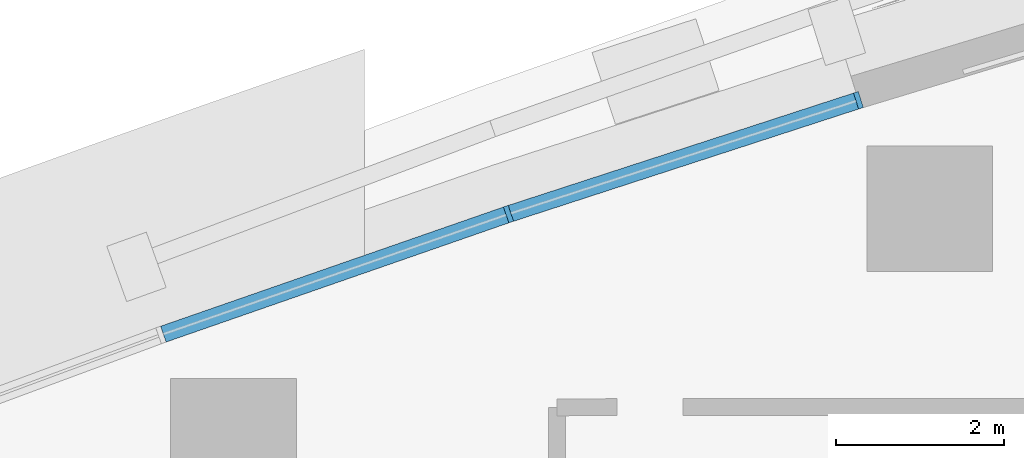
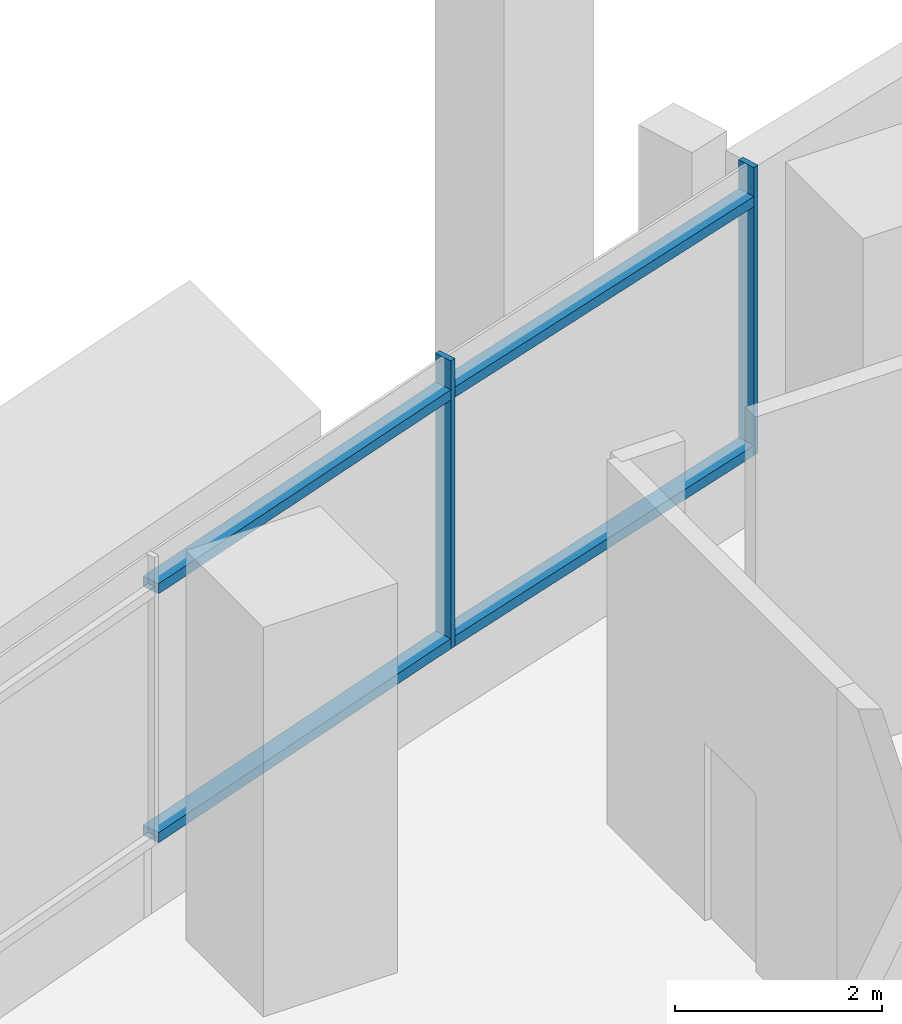
# One storey, part 5 of 17: 6 members, 1 element without a shape of its own.
"""IFC4 building model written with IfcOpenShell, lengths in metres."""

from ifc_helpers import new_model, si_unit, direction, frame, origin, origin_2d, place, context, subcontext, project, spatial, rectangle, extrude, material, layer, layer_set, material_profile, profile_set, type_object, element, aggregate, save


model = new_model("IFC4")

# Units and contexts
model_context = context("Model", 3, precision=1e-05, world=origin(), true_north=direction((0.0, 1.0)))
body_context = subcontext(model_context, "Body", "Model", "MODEL_VIEW")
ifc_project = project(units=[si_unit("LENGTHUNIT", "METRE"), si_unit("AREAUNIT", "SQUARE_METRE"), si_unit("VOLUMEUNIT", "CUBIC_METRE"), si_unit("PLANEANGLEUNIT", "RADIAN"), si_unit("MASSUNIT", "GRAM", prefix="KILO")], contexts=[model_context])

# Site, building, storey
site_placement = place(None, origin())
site = spatial("IfcSite", under=ifc_project, at=site_placement, CompositionType="ELEMENT")
building_placement = place(site_placement, origin())
building = spatial("IfcBuilding", under=site, at=building_placement, Name="Ostrand Prow Hotel Tower", CompositionType="ELEMENT")
storey_placement = place(building_placement, frame((0.0, 0.0, 125.60009765625)))
storey = spatial("IfcBuildingStorey", under=building, at=storey_placement, Name="L30", CompositionType="ELEMENT", Elevation=125.60009765625)

# Curtain wall, members
ifc_material_1 = material(Name="Insulated glass in bronze anodised frame", Category="glass")
ifc_layer = layer(ifc_material_1, 0.199951171875)
ifc_layer_set = layer_set([ifc_layer], Name="Insulated glass in bronze anodised frame")
curtain_wall_type = type_object("IfcCurtainWallType", Name="Sky lobby full-height curtain wall", PredefinedType="NOTDEFINED", material=ifc_layer_set)
curtain_wall_placement = place(storey_placement, origin())
curtain_wall = element("IfcCurtainWall", 1, at=curtain_wall_placement, inside=storey, type_object=curtain_wall_type, Name="CW3 run CWN1", PredefinedType="NOTDEFINED")
ifc_material_2 = material(Name="Bronze anodised aluminium", Category="aluminium")
ifc_material_profile_1 = material_profile(ifc_material_2, rectangle(XDim=0.199951171875, YDim=0.06005859375, at=origin_2d()), Name="Mullion 60x200 bronze anodised aluminium")
ifc_profile_set_1 = profile_set([ifc_material_profile_1], Name="Bronze anodised aluminium")
member_type_1 = type_object("IfcMemberType", Name="Mullion 60x200 bronze anodised aluminium", PredefinedType="MULLION", material=ifc_profile_set_1)
member_1_placement = place(storey_placement, frame((51.888916015625, 24.16162109375, 0.89990234375), z_axis=(0.0, 0.0, 1.0), x_axis=(0.309380491373, -0.950938332153, 0.0)))
member_1 = element("IfcMember", 2, at=member_1_placement, type_object=member_type_1, Name="CW3 mullion 1", PredefinedType="MULLION", context=body_context, shape_type="SweptSolid", body=[
    extrude(rectangle(XDim=0.199951171875, YDim=0.06005859375, at=origin_2d()), origin(), (0.0, 0.0, 1.0), 3.39990234375),
])
member_2_placement = place(storey_placement, frame((47.718017578125, 22.8046875, 0.89990234375), z_axis=(0.0, 0.0, 1.0), x_axis=(0.328428177424, -0.944528947293, 0.0)))
member_2 = element("IfcMember", 3, at=member_2_placement, type_object=member_type_1, Name="CW3 mullion 2", PredefinedType="MULLION", context=body_context, shape_type="SweptSolid", body=[
    extrude(rectangle(XDim=0.199951171875, YDim=0.06005859375, at=origin_2d()), origin(), (0.0, 0.0, 1.0), 3.39990234375),
])
ifc_material_3 = material(Name="Bronze anodised aluminium", Category="aluminium")
ifc_material_profile_2 = material_profile(ifc_material_3, rectangle(XDim=0.199951171875, YDim=0.1201171875, at=origin_2d()), Name="Transom 120x200 bronze anodised aluminium")
ifc_profile_set_2 = profile_set([ifc_material_profile_2], Name="Bronze anodised aluminium")
member_type_2 = type_object("IfcMemberType", Name="Transom 120x200 bronze anodised aluminium", PredefinedType="USERDEFINED", material=ifc_profile_set_2)
member_3_placement = place(storey_placement, frame((51.8603515625, 24.15234375, 0.9599609375), z_axis=(-0.950938634958, -0.309379560643, 0.0), x_axis=(0.309379560643, -0.950938634958, 0.0)))
member_3 = element("IfcMember", 4, at=member_3_placement, type_object=member_type_2, Name="CW3 transom 1.1", ObjectType="TRANSOM", PredefinedType="USERDEFINED", context=body_context, shape_type="SweptSolid", body=[
    extrude(rectangle(XDim=0.199951171875, YDim=0.1201171875, at=origin_2d()), origin(), (0.0, 0.0, 1.0), 4.325927734375),
])
member_4_placement = place(storey_placement, frame((51.8603515625, 24.15234375, 3.89990234375), z_axis=(-0.950938634958, -0.309379560643, 0.0), x_axis=(0.309379560643, -0.950938634958, 0.0)))
member_4 = element("IfcMember", 5, at=member_4_placement, type_object=member_type_2, Name="CW3 transom 1.2", ObjectType="TRANSOM", PredefinedType="USERDEFINED", context=body_context, shape_type="SweptSolid", body=[
    extrude(rectangle(XDim=0.199951171875, YDim=0.1201171875, at=origin_2d()), origin(), (0.0, 0.0, 1.0), 4.325927734375),
])
member_5_placement = place(storey_placement, frame((47.689697265625, 22.794921875, 0.9599609375), z_axis=(-0.944524201162, -0.328441826538, 0.0), x_axis=(0.328441826538, -0.944524201162, 0.0)))
member_5 = element("IfcMember", 6, at=member_5_placement, type_object=member_type_2, Name="CW3 transom 2.1", ObjectType="TRANSOM", PredefinedType="USERDEFINED", context=body_context, shape_type="SweptSolid", body=[
    extrude(rectangle(XDim=0.199951171875, YDim=0.1201171875, at=origin_2d()), origin(), (0.0, 0.0, 1.0), 4.326171875),
])
member_6_placement = place(storey_placement, frame((47.689697265625, 22.794921875, 3.89990234375), z_axis=(-0.944524201162, -0.328441826538, 0.0), x_axis=(0.328441826538, -0.944524201162, 0.0)))
member_6 = element("IfcMember", 7, at=member_6_placement, type_object=member_type_2, Name="CW3 transom 2.2", ObjectType="TRANSOM", PredefinedType="USERDEFINED", context=body_context, shape_type="SweptSolid", body=[
    extrude(rectangle(XDim=0.199951171875, YDim=0.1201171875, at=origin_2d()), origin(), (0.0, 0.0, 1.0), 4.326171875),
])
aggregate(curtain_wall, [member_1, member_2, member_3, member_4, member_5, member_6])

save(model, "model.ifc")
